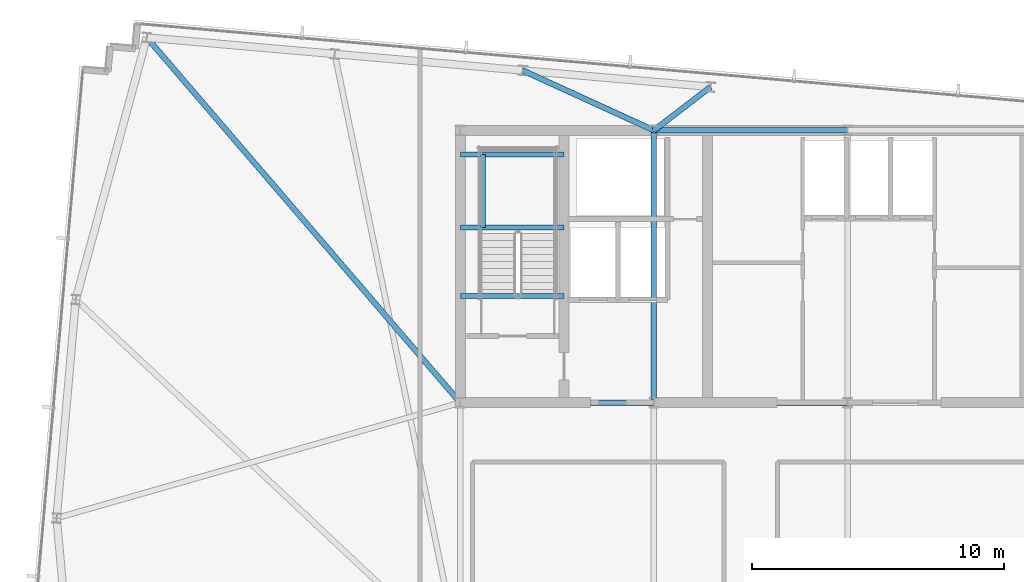
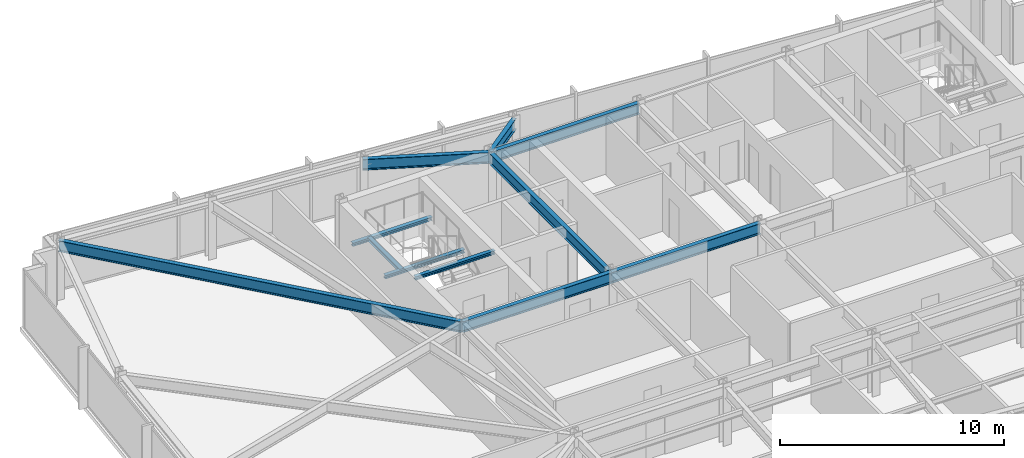
# One storey, part 12 of 32: 11 beams.
"""IFC4 building model written with IfcOpenShell, lengths in metres."""

from ifc_helpers import new_model, si_unit, direction, frame, origin, origin_2d, place, context, subcontext, project, spatial, i_section, extrude, material, material_profile, profile_set, type_object, element, save


model = new_model("IFC4")

# Units and contexts
model_context = context("Model", 3, precision=1e-05, world=origin(), true_north=direction((0.0, 1.0)))
body_context = subcontext(model_context, "Body", "Model", "MODEL_VIEW")
ifc_project = project(units=[si_unit("LENGTHUNIT", "METRE"), si_unit("AREAUNIT", "SQUARE_METRE"), si_unit("VOLUMEUNIT", "CUBIC_METRE"), si_unit("PLANEANGLEUNIT", "RADIAN"), si_unit("MASSUNIT", "GRAM", prefix="KILO")], contexts=[model_context])

# Site, building, storey
site_placement = place(None, origin())
site = spatial("IfcSite", under=ifc_project, at=site_placement, CompositionType="ELEMENT")
building_placement = place(site_placement, origin())
building = spatial("IfcBuilding", under=site, at=building_placement, Name="Yelkora Congress Tower", CompositionType="ELEMENT")
storey_placement = place(building_placement, frame((0.0, 0.0, 262.5)))
storey = spatial("IfcBuildingStorey", under=building, at=storey_placement, Name="L73", CompositionType="ELEMENT", Elevation=262.5)

# Beams
ifc_material = material(Name="Steel S355J2", Category="steel")
ifc_material_profile_1 = material_profile(ifc_material, i_section(OverallWidth=0.219970703125, OverallDepth=0.60009765625, WebThickness=0.011962890625, FlangeThickness=0.01904296875, FilletRadius=0.02392578125, at=origin_2d()), Name="IPE 600")
ifc_profile_set_1 = profile_set([ifc_material_profile_1], Name="Steel S355J2")
beam_type_1 = type_object("IfcBeamType", Name="BM-GIRD-IPE600", PredefinedType="BEAM", material=ifc_profile_set_1)
for number, where, z_axis, x_axis, name in (
    (1, (30.719970703125, 46.199951171875, 2.8798828125), (1.0, 0.0, 0.0), (0.0, 1.0, 0.0), "L73 Core North Girder 2"),
    (2, (23.0400390625, 35.39990234375, 2.8798828125), (1.0, 0.0, 0.0), (0.0, 1.0, 0.0), "L73 Core South Girder 1"),
    (3, (30.719970703125, 35.39990234375, 2.8798828125), (1.0, 0.0, 0.0), (0.0, 1.0, 0.0), "L73 Core South Girder 2"),
):
    element("IfcBeam", number, at=place(storey_placement, frame(where, z_axis=z_axis, x_axis=x_axis)), inside=storey, type_object=beam_type_1, Name=name, PredefinedType="BEAM", context=body_context, shape_type="SweptSolid", body=[
        extrude(i_section(OverallWidth=0.219970703125, OverallDepth=0.60009765625, WebThickness=0.011962890625, FlangeThickness=0.01904296875, FilletRadius=0.02392578125, at=origin_2d()), origin(), (0.0, 0.0, 1.0), 7.679931640625),
    ])
beam_1_placement = place(storey_placement, frame((30.719970703125, 35.39990234375, 2.8798828125), z_axis=(0.0, 1.0, 0.0), x_axis=(-1.0, 0.0, 0.0)))
element("IfcBeam", 4, at=beam_1_placement, inside=storey, type_object=beam_type_1, Name="L73 Core Tie Girder MC-S2", PredefinedType="BEAM", context=body_context, shape_type="SweptSolid", body=[
    extrude(i_section(OverallWidth=0.219970703125, OverallDepth=0.60009765625, WebThickness=0.011962890625, FlangeThickness=0.01904296875, FilletRadius=0.02392578125, at=origin_2d()), origin(), (0.0, 0.0, 1.0), 10.800048828125),
])
beam_2_placement = place(storey_placement, frame((10.60400390625, 49.884033203125, 2.8798828125), z_axis=(0.651427266579, -0.758711088859, 0.0), x_axis=(0.758711088859, 0.651427266579, 0.0)))
element("IfcBeam", 5, at=beam_2_placement, inside=storey, type_object=beam_type_1, Name="L73 Primary Frame Girder N01", PredefinedType="BEAM", context=body_context, shape_type="SweptSolid", body=[
    extrude(i_section(OverallWidth=0.219970703125, OverallDepth=0.60009765625, WebThickness=0.011962890625, FlangeThickness=0.01904296875, FilletRadius=0.02392578125, at=origin_2d()), origin(), (0.0, 0.0, 1.0), 19.09033203125),
])
beam_3_placement = place(storey_placement, frame((25.513916015625, 48.57958984375, 2.8798828125), z_axis=(0.909492445228, -0.415720449429, 0.0), x_axis=(0.415720449429, 0.909492445228, 0.0)))
element("IfcBeam", 6, at=beam_3_placement, inside=storey, type_object=beam_type_1, Name="L73 Primary Frame Girder N03", PredefinedType="BEAM", context=body_context, shape_type="SweptSolid", body=[
    extrude(i_section(OverallWidth=0.219970703125, OverallDepth=0.60009765625, WebThickness=0.011962890625, FlangeThickness=0.01904296875, FilletRadius=0.02392578125, at=origin_2d()), origin(), (0.0, 0.0, 1.0), 5.72412109375),
])
beam_4_placement = place(storey_placement, frame((32.968505859375, 47.927490234375, 2.8798828125), z_axis=(-0.792982335977, -0.609244626425, 0.0), x_axis=(0.609244626425, -0.792982335977, 0.0)))
element("IfcBeam", 7, at=beam_4_placement, inside=storey, type_object=beam_type_1, Name="L73 Primary Frame Girder N04", PredefinedType="BEAM", context=body_context, shape_type="SweptSolid", body=[
    extrude(i_section(OverallWidth=0.219970703125, OverallDepth=0.60009765625, WebThickness=0.011962890625, FlangeThickness=0.01904296875, FilletRadius=0.02392578125, at=origin_2d()), origin(), (0.0, 0.0, 1.0), 2.83544921875),
])
ifc_material_profile_2 = material_profile(ifc_material, i_section(OverallWidth=0.199951171875, OverallDepth=0.18994140625, WebThickness=0.006591796875, FlangeThickness=0.010009765625, FilletRadius=0.01806640625, at=origin_2d()), Name="HEA 200")
ifc_profile_set_2 = profile_set([ifc_material_profile_2], Name="Steel S355J2")
beam_type_2 = type_object("IfcBeamType", Name="BM-LAND-HEA200", PredefinedType="BEAM", material=ifc_profile_set_2)
for number, where, z_axis, x_axis, name in (
    (8, (23.0400390625, 42.340087890625, 1.384521484375), (1.0, 0.0, 0.0), (0.0, 1.0, 0.0), "ST-01 L73 Landing Header Beam 1S"),
    (9, (23.0400390625, 45.25, 1.384521484375), (1.0, 0.0, 0.0), (0.0, 1.0, 0.0), "ST-01 L73 Landing Header Beam 1N"),
):
    element("IfcBeam", number, at=place(storey_placement, frame(where, z_axis=z_axis, x_axis=x_axis)), inside=storey, type_object=beam_type_2, Name=name, PredefinedType="BEAM", context=body_context, shape_type="SweptSolid", body=[
        extrude(i_section(OverallWidth=0.199951171875, OverallDepth=0.18994140625, WebThickness=0.006591796875, FlangeThickness=0.010009765625, FilletRadius=0.01806640625, at=origin_2d()), origin(), (0.0, 0.0, 1.0), 4.10986328125),
    ])
beam_5_placement = place(storey_placement, frame((23.93994140625, 42.340087890625, 1.384521484375), z_axis=(0.0, 1.0, 0.0), x_axis=(-1.0, 0.0, 0.0)))
element("IfcBeam", 10, at=beam_5_placement, inside=storey, type_object=beam_type_2, Name="ST-01 L73 Landing Trimmer Beam 1M", PredefinedType="BEAM", context=body_context, shape_type="SweptSolid", body=[
    extrude(i_section(OverallWidth=0.199951171875, OverallDepth=0.18994140625, WebThickness=0.006591796875, FlangeThickness=0.010009765625, FilletRadius=0.01806640625, at=origin_2d()), origin(), (0.0, 0.0, 1.0), 2.909912109375),
])
beam_6_placement = place(storey_placement, frame((23.0400390625, 39.639892578125, 2.947509765625), z_axis=(1.0, 0.0, 0.0), x_axis=(0.0, 1.0, 0.0)))
element("IfcBeam", 11, at=beam_6_placement, inside=storey, type_object=beam_type_2, Name="ST-01 L73 Floor Arrival Stringer Header Beam", PredefinedType="BEAM", context=body_context, shape_type="SweptSolid", body=[
    extrude(i_section(OverallWidth=0.199951171875, OverallDepth=0.18994140625, WebThickness=0.006591796875, FlangeThickness=0.010009765625, FilletRadius=0.01806640625, at=origin_2d()), origin(), (0.0, 0.0, 1.0), 4.10986328125),
])

save(model, "model.ifc")
